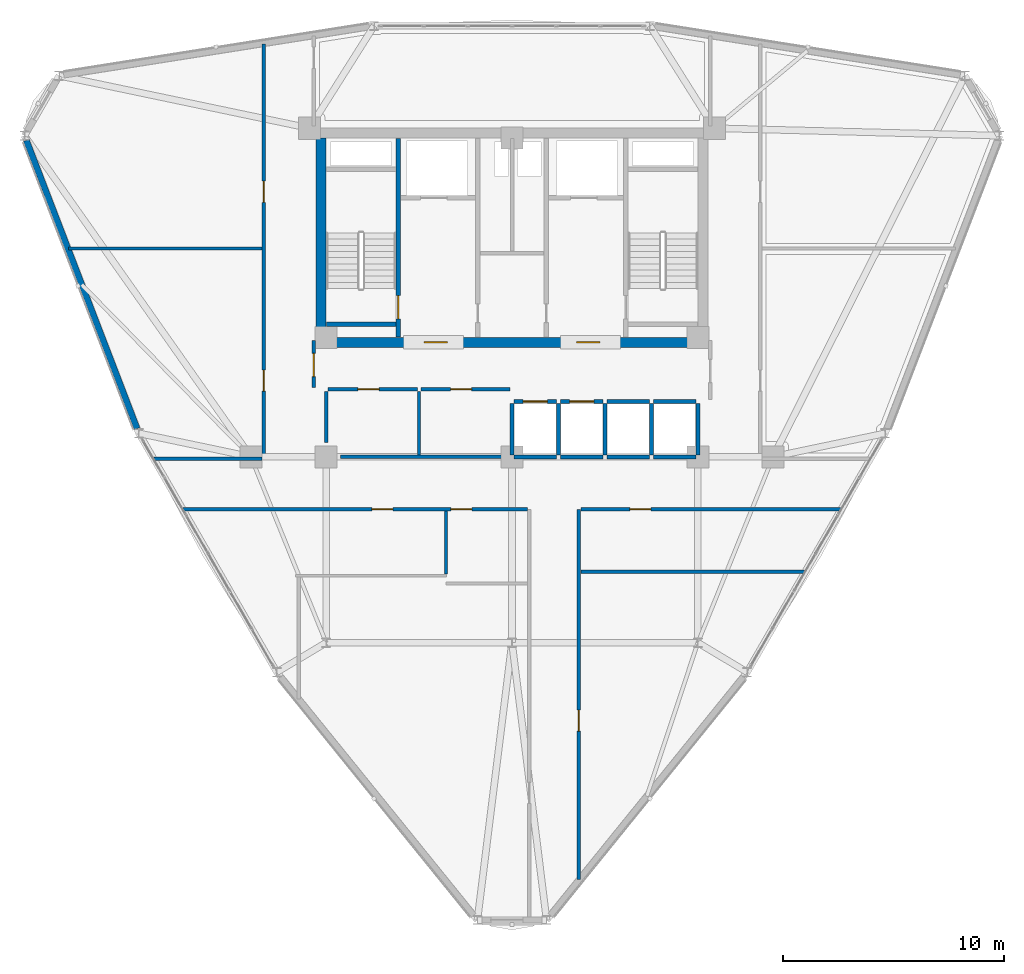
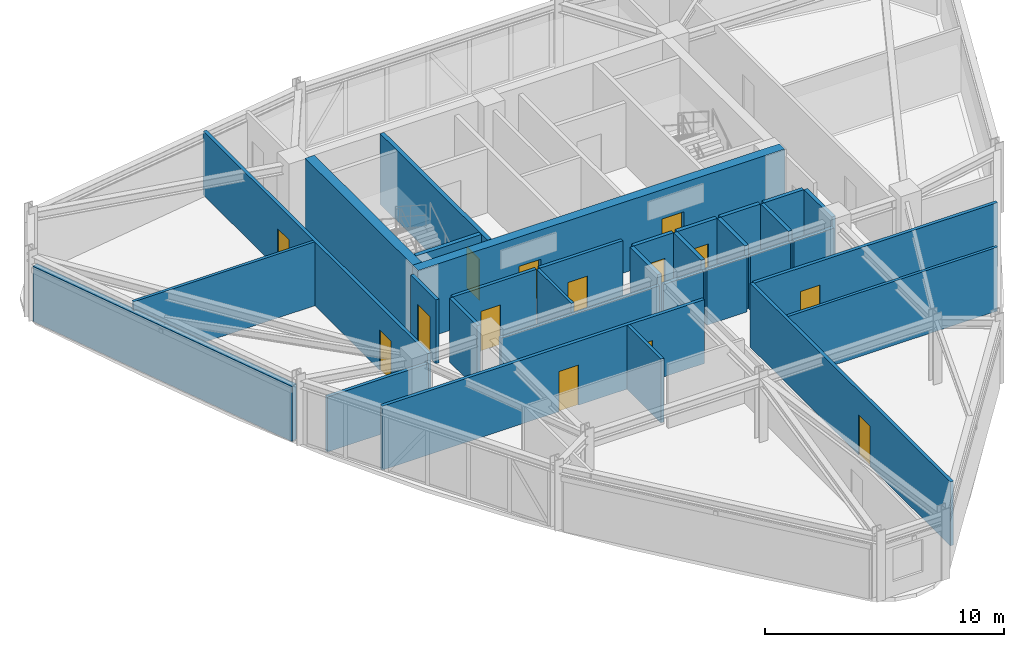
# One storey, part 10 of 14: 32 walls, 14 doors, 14 openings.
"""IFC4 building model written with IfcOpenShell, lengths in metres."""

from ifc_helpers import new_model, si_unit, derived_unit, direction, frame, frame_2d, origin, place, context, subcontext, project, spatial, rectangle, extrude, material, layer, layer_set, type_object, element, fill, save


model = new_model("IFC4")

# Units and contexts
model_context = context("Model", 3, precision=1e-05, world=origin(), true_north=direction((0.0, 1.0)))
body_context = subcontext(model_context, "Body", "Model", "MODEL_VIEW")
ifc_project = project(units=[si_unit("LENGTHUNIT", "METRE"), si_unit("AREAUNIT", "SQUARE_METRE"), si_unit("VOLUMEUNIT", "CUBIC_METRE"), si_unit("PLANEANGLEUNIT", "RADIAN"), si_unit("MASSUNIT", "GRAM", prefix="KILO"), derived_unit("THERMALTRANSMITTANCEUNIT", [(si_unit("POWERUNIT", "WATT"), 1), (si_unit("LENGTHUNIT", "METRE"), -2), (si_unit("THERMODYNAMICTEMPERATUREUNIT", "KELVIN"), -1)])], contexts=[model_context])

# Site, building, storey
site_placement = place(None, origin())
site = spatial("IfcSite", under=ifc_project, at=site_placement, CompositionType="ELEMENT")
building_placement = place(site_placement, origin())
building = spatial("IfcBuilding", under=site, at=building_placement, Name="Korsvarv Bourse and Concert Hall", CompositionType="ELEMENT")
storey_placement = place(building_placement, frame((0.0, 0.0, 197.39990234375)))
storey = spatial("IfcBuildingStorey", under=building, at=storey_placement, Name="L51", CompositionType="ELEMENT", Elevation=197.39990234375)

# Wall, opening, door
ifc_material_1 = material(Name="Concrete C50/60", Category="concrete")
ifc_layer_1 = layer(ifc_material_1, 0.3798828125)
ifc_layer_set_1 = layer_set([ifc_layer_1], Name="Concrete C50/60")
wall_type_1 = type_object("IfcWallType", Name="WL-CORE-380", PredefinedType="SHEAR", material=ifc_layer_set_1)
wall_1_placement = place(storey_placement, frame((30.860107421875, 37.81005859375, 0.0), z_axis=(0.0, 0.0, 1.0), x_axis=(0.0, 1.0, 0.0)))
wall_1 = element("IfcWall", 1, at=wall_1_placement, inside=storey, type_object=wall_type_1, Name="L51 stair shaft structural wall W-L51-ST1-E", PredefinedType="SHEAR", context=body_context, shape_type="SweptSolid", body=[
    extrude(rectangle(XDim=8.97998046875, YDim=0.199951171875, at=frame_2d((4.489990234375, 0.0))), origin(), (0.0, 0.0, 1.0), 3.60009765625),
])
opening_1_placement = place(wall_1_placement, frame((0.820068359375, 0.0, 0.0)))
opening_1 = element("IfcOpeningElement", 2, at=opening_1_placement, cuts=wall_1, Name="Opening D-01", PredefinedType="OPENING", context=body_context, shape_type="SweptSolid", body=[
    extrude(rectangle(XDim=1.050048828125, YDim=2.10009765625, at=frame_2d((0.52490234375, 1.050048828125))), frame((0.0, 0.10986328125, 0.0), z_axis=(0.0, -1.0, 0.0), x_axis=(1.0, 0.0, 0.0)), (0.0, 0.0, 1.0), 0.219970703125),
])
ifc_material_2 = material(Name="Steel S355 fire door", Category="steel")
door_type_1 = type_object("IfcDoorType", Name="DR-FD60", OperationType="NOTDEFINED", PredefinedType="DOOR", material=ifc_material_2)
door_1_placement = place(opening_1_placement, origin())
door_1 = element("IfcDoor", 3, at=door_1_placement, inside=storey, type_object=door_type_1, Name="L51 interior door DR-L51-ST1", OperationType="SINGLE_SWING_LEFT", OverallHeight=2.10009765625, OverallWidth=1.050048828125, PredefinedType="DOOR", context=body_context, shape_type="SweptSolid", body=[
    extrude(rectangle(XDim=1.050048828125, YDim=2.10009765625, at=frame_2d((0.52490234375, 1.050048828125))), frame((0.0, 0.02490234375, 0.0), z_axis=(0.0, -1.0, 0.0), x_axis=(1.0, 0.0, 0.0)), (0.0, 0.0, 1.0), 0.050048828125),
])
fill(opening_1, door_1)

# Wall
wall_2_placement = place(storey_placement, frame((27.610107421875, 38.39990234375, 0.0), z_axis=(0.0, 0.0, 1.0), x_axis=(1.0, 0.0, 0.0)))
element("IfcWall", 4, at=wall_2_placement, inside=storey, type_object=wall_type_1, Name="L51 stair shaft structural wall W-L51-ST1-S", PredefinedType="SHEAR", context=body_context, shape_type="SweptSolid", body=[
    extrude(rectangle(XDim=3.139892578125, YDim=0.199951171875, at=frame_2d((1.56982421875, 0.0))), origin(), (0.0, 0.0, 1.0), 3.60009765625),
])

# Wall, openings, doors
ifc_material_3 = material(Name="Concrete C55/67", Category="concrete")
ifc_layer_2 = layer(ifc_material_3, 0.449951171875)
ifc_layer_set_2 = layer_set([ifc_layer_2], Name="Concrete C55/67")
wall_type_2 = type_object("IfcWallType", Name="WL-CORE-450", PredefinedType="SHEAR", material=ifc_layer_set_2)
wall_3_placement = place(storey_placement, frame((27.14990234375, 37.574951171875, 0.0), z_axis=(0.0, 0.0, 1.0), x_axis=(1.0, 0.0, 0.0)))
wall_3 = element("IfcWall", 5, at=wall_3_placement, inside=storey, type_object=wall_type_2, Name="L51 South Core Shear Wall", PredefinedType="SHEAR", context=body_context, shape_type="SweptSolid", body=[
    extrude(rectangle(XDim=17.7001953125, YDim=0.449951171875, at=frame_2d((8.85009765625, 0.0))), origin(), (0.0, 0.0, 1.0), 3.60009765625),
])
opening_2_placement = place(wall_3_placement, frame((4.875, 0.0, 0.0)))
opening_2 = element("IfcOpeningElement", 6, at=opening_2_placement, cuts=wall_3, Name="Opening D-01", PredefinedType="OPENING", context=body_context, shape_type="SweptSolid", body=[
    extrude(rectangle(XDim=1.050048828125, YDim=2.10009765625, at=frame_2d((0.52490234375, 1.050048828125))), frame((0.0, 0.23486328125, 0.0), z_axis=(0.0, -1.0, 0.0), x_axis=(1.0, 0.0, 0.0)), (0.0, 0.0, 1.0), 0.469970703125),
])
opening_3_placement = place(wall_3_placement, frame((11.77490234375, 0.0, 0.0)))
opening_3 = element("IfcOpeningElement", 7, at=opening_3_placement, cuts=wall_3, Name="Opening D-01", PredefinedType="OPENING", context=body_context, shape_type="SweptSolid", body=[
    extrude(rectangle(XDim=1.050048828125, YDim=2.10009765625, at=frame_2d((0.52490234375, 1.050048828125))), frame((0.0, 0.23486328125, 0.0), z_axis=(0.0, -1.0, 0.0), x_axis=(1.0, 0.0, 0.0)), (0.0, 0.0, 1.0), 0.469970703125),
])
door_2_placement = place(opening_2_placement, frame((1.050048828125, 0.0, 0.0), z_axis=(0.0, 0.0, 1.0), x_axis=(-1.0, 0.0, 0.0)))
door_2 = element("IfcDoor", 8, at=door_2_placement, inside=storey, type_object=door_type_1, Name="L51 firefighting lobby fire door DR-L51-FFLW", OperationType="SINGLE_SWING_LEFT", OverallHeight=2.10009765625, OverallWidth=1.050048828125, PredefinedType="DOOR", context=body_context, shape_type="SweptSolid", body=[
    extrude(rectangle(XDim=1.050048828125, YDim=2.10009765625, at=frame_2d((0.52490234375, 1.050048828125))), frame((0.0, 0.02490234375, 0.0), z_axis=(0.0, -1.0, 0.0), x_axis=(1.0, 0.0, 0.0)), (0.0, 0.0, 1.0), 0.050048828125),
])
fill(opening_2, door_2)
door_3_placement = place(opening_3_placement, frame((1.050048828125, 0.0, 0.0), z_axis=(0.0, 0.0, 1.0), x_axis=(-1.0, 0.0, 0.0)))
door_3 = element("IfcDoor", 9, at=door_3_placement, inside=storey, type_object=door_type_1, Name="L51 firefighting lobby fire door DR-L51-FFLE", OperationType="SINGLE_SWING_RIGHT", OverallHeight=2.10009765625, OverallWidth=1.050048828125, PredefinedType="DOOR", context=body_context, shape_type="SweptSolid", body=[
    extrude(rectangle(XDim=1.050048828125, YDim=2.10009765625, at=frame_2d((0.52490234375, 1.050048828125))), frame((0.0, 0.02490234375, 0.0), z_axis=(0.0, -1.0, 0.0), x_axis=(1.0, 0.0, 0.0)), (0.0, 0.0, 1.0), 0.050048828125),
])
fill(opening_3, door_3)

# Walls
wall_4_placement = place(storey_placement, frame((27.375, 37.800048828125, 0.0), z_axis=(0.0, 0.0, 1.0), x_axis=(0.0, 1.0, 0.0)))
element("IfcWall", 10, at=wall_4_placement, inside=storey, type_object=wall_type_2, Name="L51 West Core Shear Wall", PredefinedType="SHEAR", context=body_context, shape_type="SweptSolid", body=[
    extrude(rectangle(XDim=9.0, YDim=0.449951171875, at=frame_2d((4.5, 0.0))), origin(), (0.0, 0.0, 1.0), 3.60009765625),
])
ifc_material_4 = material(Name="Precast concrete C45/55 with fluted terracotta pier", Category="concrete")
ifc_layer_3 = layer(ifc_material_4, 0.280029296875)
ifc_layer_set_3 = layer_set([ifc_layer_3], Name="Precast concrete C45/55 with fluted terracotta pier")
wall_type_3 = type_object("IfcWallType", Name="WL-EXT-TC2", PredefinedType="SOLIDWALL", material=ifc_layer_set_3)
wall_5_placement = place(storey_placement, frame((14.051513671875, 46.699462890625, 0.0), z_axis=(0.0, 0.0, 1.0), x_axis=(0.358703519473, -0.933451544065, 0.0)))
element("IfcWall", 11, at=wall_5_placement, inside=storey, type_object=wall_type_3, Name="L51 terracotta exterior wall EW-L51-B06", PredefinedType="SOLIDWALL", context=body_context, shape_type="SweptSolid", body=[
    extrude(rectangle(XDim=13.95263671875, YDim=0.280029296875, at=frame_2d((6.976318359375, 0.0))), origin(), (0.0, 0.0, 1.0), 2.81005859375),
])
ifc_material_5 = material(Name="Double-stud fire-rated acoustic partition", Category="gypsum")
ifc_layer_4 = layer(ifc_material_5, 0.159912109375)
ifc_layer_set_4 = layer_set([ifc_layer_4], Name="Double-stud fire-rated acoustic partition")
wall_type_4 = type_object("IfcWallType", Name="WL-INT-EI60", PredefinedType="PARTITIONING", material=ifc_layer_set_4)
wall_6_placement = place(storey_placement, frame((28.25, 32.39990234375, 0.0), z_axis=(0.0, 0.0, 1.0), x_axis=(1.0, 0.0, 0.0)))
element("IfcWall", 12, at=wall_6_placement, inside=storey, type_object=wall_type_4, Name="L51 interior partition wall W-L51-FRD-S", PredefinedType="PARTITIONING", context=body_context, shape_type="SweptSolid", body=[
    extrude(rectangle(XDim=7.64990234375, YDim=0.159912109375, at=frame_2d((3.824951171875, 0.0))), origin(), (0.0, 0.0, 1.0), 2.81005859375),
])
wall_7_placement = place(storey_placement, frame((27.60009765625, 33.050048828125, 0.0), z_axis=(0.0, 0.0, 1.0), x_axis=(0.0, 1.0, 0.0)))
element("IfcWall", 13, at=wall_7_placement, inside=storey, type_object=wall_type_4, Name="L51 interior partition wall W-L51-FRD-W", PredefinedType="PARTITIONING", context=body_context, shape_type="SweptSolid", body=[
    extrude(rectangle(XDim=2.31005859375, YDim=0.159912109375, at=frame_2d((1.155029296875, 0.0))), origin(), (0.0, 0.0, 1.0), 3.260009765625),
])

# Wall, opening, door
wall_8_placement = place(storey_placement, frame((27.68994140625, 35.449951171875, 0.0), z_axis=(0.0, 0.0, 1.0), x_axis=(1.0, 0.0, 0.0)))
wall_8 = element("IfcWall", 14, at=wall_8_placement, inside=storey, type_object=wall_type_4, Name="L51 interior partition wall W-L51-FRD-N1", PredefinedType="PARTITIONING", context=body_context, shape_type="SweptSolid", body=[
    extrude(rectangle(XDim=4.030029296875, YDim=0.159912109375, at=frame_2d((2.01513671875, 0.0))), origin(), (0.0, 0.0, 1.0), 3.260009765625),
])
opening_4_placement = place(wall_8_placement, frame((1.35009765625, 0.0, 0.0)))
opening_4 = element("IfcOpeningElement", 15, at=opening_4_placement, cuts=wall_8, Name="Opening D-03", PredefinedType="OPENING", context=body_context, shape_type="SweptSolid", body=[
    extrude(rectangle(XDim=0.949951171875, YDim=2.050048828125, at=frame_2d((0.47509765625, 1.02490234375))), frame((0.0, 0.08984375, 0.0), z_axis=(0.0, -1.0, 0.0), x_axis=(1.0, 0.0, 0.0)), (0.0, 0.0, 1.0), 0.179931640625),
])
ifc_material_6 = material(Name="Nordic oak acoustic office door", Category="wood")
door_type_2 = type_object("IfcDoorType", Name="DR-INT-1", OperationType="NOTDEFINED", PredefinedType="DOOR", material=ifc_material_6)
door_4_placement = place(opening_4_placement, origin())
door_4 = element("IfcDoor", 16, at=door_4_placement, inside=storey, type_object=door_type_2, Name="L51 interior door DR-L51-FRDN1", OperationType="SINGLE_SWING_LEFT", OverallHeight=2.050048828125, OverallWidth=0.949951171875, PredefinedType="DOOR", context=body_context, shape_type="SweptSolid", body=[
    extrude(rectangle(XDim=0.949951171875, YDim=2.050048828125, at=frame_2d((0.47509765625, 1.02490234375))), frame((0.0, 0.02490234375, 0.0), z_axis=(0.0, -1.0, 0.0), x_axis=(1.0, 0.0, 0.0)), (0.0, 0.0, 1.0), 0.050048828125),
])
fill(opening_4, door_4)

wall_9_placement = place(storey_placement, frame((31.8798828125, 35.449951171875, 0.0), z_axis=(0.0, 0.0, 1.0), x_axis=(1.0, 0.0, 0.0)))
wall_9 = element("IfcWall", 17, at=wall_9_placement, inside=storey, type_object=wall_type_4, Name="L51 interior partition wall W-L51-FRD-N2", PredefinedType="PARTITIONING", context=body_context, shape_type="SweptSolid", body=[
    extrude(rectangle(XDim=4.02001953125, YDim=0.159912109375, at=frame_2d((2.010009765625, 0.0))), origin(), (0.0, 0.0, 1.0), 3.260009765625),
])
opening_5_placement = place(wall_9_placement, frame((1.35009765625, 0.0, 0.0)))
opening_5 = element("IfcOpeningElement", 18, at=opening_5_placement, cuts=wall_9, Name="Opening D-03", PredefinedType="OPENING", context=body_context, shape_type="SweptSolid", body=[
    extrude(rectangle(XDim=0.949951171875, YDim=2.050048828125, at=frame_2d((0.47509765625, 1.02490234375))), frame((0.0, 0.08984375, 0.0), z_axis=(0.0, -1.0, 0.0), x_axis=(1.0, 0.0, 0.0)), (0.0, 0.0, 1.0), 0.179931640625),
])
door_5_placement = place(opening_5_placement, origin())
door_5 = element("IfcDoor", 19, at=door_5_placement, inside=storey, type_object=door_type_2, Name="L51 interior door DR-L51-FRDN2", OperationType="SINGLE_SWING_RIGHT", OverallHeight=2.050048828125, OverallWidth=0.949951171875, PredefinedType="DOOR", context=body_context, shape_type="SweptSolid", body=[
    extrude(rectangle(XDim=0.949951171875, YDim=2.050048828125, at=frame_2d((0.47509765625, 1.02490234375))), frame((0.0, 0.02490234375, 0.0), z_axis=(0.0, -1.0, 0.0), x_axis=(1.0, 0.0, 0.0)), (0.0, 0.0, 1.0), 0.050048828125),
])
fill(opening_5, door_5)

wall_10_placement = place(storey_placement, frame((27.0400390625, 35.5400390625, 0.0), z_axis=(0.0, 0.0, 1.0), x_axis=(0.0, 1.0, 0.0)))
wall_10 = element("IfcWall", 20, at=wall_10_placement, inside=storey, type_object=wall_type_4, Name="L51 interior partition wall W-L51-LOB-WL", PredefinedType="PARTITIONING", context=body_context, shape_type="SweptSolid", body=[
    extrude(rectangle(XDim=2.10986328125, YDim=0.159912109375, at=frame_2d((1.054931640625, 0.0))), origin(), (0.0, 0.0, 1.0), 3.260009765625),
])
opening_6_placement = place(wall_10_placement, frame((0.47998046875, 0.0, 0.0)))
opening_6 = element("IfcOpeningElement", 21, at=opening_6_placement, cuts=wall_10, Name="Opening D-01", PredefinedType="OPENING", context=body_context, shape_type="SweptSolid", body=[
    extrude(rectangle(XDim=1.050048828125, YDim=2.10009765625, at=frame_2d((0.52490234375, 1.050048828125))), frame((0.0, 0.08984375, 0.0), z_axis=(0.0, -1.0, 0.0), x_axis=(1.0, 0.0, 0.0)), (0.0, 0.0, 1.0), 0.179931640625),
])
door_6_placement = place(opening_6_placement, frame((1.050048828125, 0.0, 0.0), z_axis=(0.0, 0.0, 1.0), x_axis=(-1.0, 0.0, 0.0)))
door_6 = element("IfcDoor", 22, at=door_6_placement, inside=storey, type_object=door_type_1, Name="L51 interior door DR-L51-LOBW", OperationType="SINGLE_SWING_LEFT", OverallHeight=2.10009765625, OverallWidth=1.050048828125, PredefinedType="DOOR", context=body_context, shape_type="SweptSolid", body=[
    extrude(rectangle(XDim=1.050048828125, YDim=2.10009765625, at=frame_2d((0.52490234375, 1.050048828125))), frame((0.0, 0.02490234375, 0.0), z_axis=(0.0, -1.0, 0.0), x_axis=(1.0, 0.0, 0.0)), (0.0, 0.0, 1.0), 0.050048828125),
])
fill(opening_6, door_6)

# Wall, openings, doors
wall_11_placement = place(storey_placement, frame((24.77490234375, 32.31005859375, 0.0), z_axis=(0.0, 0.0, 1.0), x_axis=(0.0, 1.0, 0.0)))
wall_11 = element("IfcWall", 23, at=wall_11_placement, inside=storey, type_object=wall_type_4, Name="L51 interior partition wall W-L51-TCOR-02", PredefinedType="PARTITIONING", context=body_context, shape_type="SweptSolid", body=[
    extrude(rectangle(XDim=18.7529296875, YDim=0.159912109375, at=frame_2d((9.37646484375, 0.0))), origin(), (0.0, 0.0, 1.0), 3.260009765625),
])
opening_7_placement = place(wall_11_placement, frame((3.060302734375, 0.0, 0.0)))
opening_7 = element("IfcOpeningElement", 24, at=opening_7_placement, cuts=wall_11, Name="Opening D-02", PredefinedType="OPENING", context=body_context, shape_type="SweptSolid", body=[
    extrude(rectangle(XDim=0.949951171875, YDim=2.050048828125, at=frame_2d((0.47509765625, 1.02490234375))), frame((0.0, 0.08984375, 0.0), z_axis=(0.0, -1.0, 0.0), x_axis=(1.0, 0.0, 0.0)), (0.0, 0.0, 1.0), 0.179931640625),
])
opening_8_placement = place(wall_11_placement, frame((11.593017578125, 0.0, 0.0)))
opening_8 = element("IfcOpeningElement", 25, at=opening_8_placement, cuts=wall_11, Name="Opening D-02", PredefinedType="OPENING", context=body_context, shape_type="SweptSolid", body=[
    extrude(rectangle(XDim=0.949951171875, YDim=2.050048828125, at=frame_2d((0.47509765625, 1.02490234375))), frame((0.0, 0.08984375, 0.0), z_axis=(0.0, -1.0, 0.0), x_axis=(1.0, 0.0, 0.0)), (0.0, 0.0, 1.0), 0.179931640625),
])
ifc_material_7 = material(Name="Timber and steel acoustic fire door", Category="wood")
door_type_3 = type_object("IfcDoorType", Name="DR-FD30", OperationType="NOTDEFINED", PredefinedType="DOOR", material=ifc_material_7)
door_7_placement = place(opening_7_placement, origin())
door_7 = element("IfcDoor", 26, at=door_7_placement, inside=storey, type_object=door_type_3, Name="L51 interior door DR-L51-TCOR-FN68", OperationType="SINGLE_SWING_LEFT", OverallHeight=2.050048828125, OverallWidth=0.949951171875, PredefinedType="DOOR", context=body_context, shape_type="SweptSolid", body=[
    extrude(rectangle(XDim=0.949951171875, YDim=2.050048828125, at=frame_2d((0.47509765625, 1.02490234375))), frame((0.0, 0.02490234375, 0.0), z_axis=(0.0, -1.0, 0.0), x_axis=(1.0, 0.0, 0.0)), (0.0, 0.0, 1.0), 0.050048828125),
])
fill(opening_7, door_7)
door_8_placement = place(opening_8_placement, origin())
door_8 = element("IfcDoor", 27, at=door_8_placement, inside=storey, type_object=door_type_3, Name="L51 interior door DR-L51-TCOR-FN79", OperationType="SINGLE_SWING_RIGHT", OverallHeight=2.050048828125, OverallWidth=0.949951171875, PredefinedType="DOOR", context=body_context, shape_type="SweptSolid", body=[
    extrude(rectangle(XDim=0.949951171875, YDim=2.050048828125, at=frame_2d((0.47509765625, 1.02490234375))), frame((0.0, 0.02490234375, 0.0), z_axis=(0.0, -1.0, 0.0), x_axis=(1.0, 0.0, 0.0)), (0.0, 0.0, 1.0), 0.050048828125),
])
fill(opening_8, door_8)

# Wall, opening, door
wall_12_placement = place(storey_placement, frame((39.02490234375, 13.289794921875, 0.0), z_axis=(0.0, 0.0, 1.0), x_axis=(0.0, 1.0, 0.0)))
wall_12 = element("IfcWall", 28, at=wall_12_placement, inside=storey, type_object=wall_type_4, Name="L51 interior partition wall W-L51-TCOR-04", PredefinedType="PARTITIONING", context=body_context, shape_type="SweptSolid", body=[
    extrude(rectangle(XDim=16.740234375, YDim=0.159912109375, at=frame_2d((8.3701171875, 0.0))), origin(), (0.0, 0.0, 1.0), 3.260009765625),
])
opening_9_placement = place(wall_12_placement, frame((6.71630859375, 0.0, 0.0)))
opening_9 = element("IfcOpeningElement", 29, at=opening_9_placement, cuts=wall_12, Name="Opening D-02", PredefinedType="OPENING", context=body_context, shape_type="SweptSolid", body=[
    extrude(rectangle(XDim=0.949951171875, YDim=2.050048828125, at=frame_2d((0.47509765625, 1.02490234375))), frame((0.0, 0.08984375, 0.0), z_axis=(0.0, -1.0, 0.0), x_axis=(1.0, 0.0, 0.0)), (0.0, 0.0, 1.0), 0.179931640625),
])
door_9_placement = place(opening_9_placement, origin())
door_9 = element("IfcDoor", 30, at=door_9_placement, inside=storey, type_object=door_type_3, Name="L51 interior door DR-L51-TCOR-FN43", OperationType="SINGLE_SWING_RIGHT", OverallHeight=2.050048828125, OverallWidth=0.949951171875, PredefinedType="DOOR", context=body_context, shape_type="SweptSolid", body=[
    extrude(rectangle(XDim=0.949951171875, YDim=2.050048828125, at=frame_2d((0.47509765625, 1.02490234375))), frame((0.0, 0.02490234375, 0.0), z_axis=(0.0, -1.0, 0.0), x_axis=(1.0, 0.0, 0.0)), (0.0, 0.0, 1.0), 0.050048828125),
])
fill(opening_9, door_9)

# Wall, openings, doors
wall_13_placement = place(storey_placement, frame((21.142578125, 30.02490234375, 0.0), z_axis=(0.0, 0.0, 1.0), x_axis=(1.0, 0.0, 0.0)))
wall_13 = element("IfcWall", 31, at=wall_13_placement, inside=storey, type_object=wall_type_4, Name="L51 interior partition wall W-L51-TCOR-05", PredefinedType="PARTITIONING", context=body_context, shape_type="SweptSolid", body=[
    extrude(rectangle(XDim=15.550537109375, YDim=0.159912109375, at=frame_2d((7.775390625, 0.0))), origin(), (0.0, 0.0, 1.0), 3.260009765625),
])
opening_10_placement = place(wall_13_placement, frame((12.097412109375, 0.0, 0.0)))
opening_10 = element("IfcOpeningElement", 32, at=opening_10_placement, cuts=wall_13, Name="Opening D-02", PredefinedType="OPENING", context=body_context, shape_type="SweptSolid", body=[
    extrude(rectangle(XDim=0.949951171875, YDim=2.050048828125, at=frame_2d((0.47509765625, 1.02490234375))), frame((0.0, 0.08984375, 0.0), z_axis=(0.0, -1.0, 0.0), x_axis=(1.0, 0.0, 0.0)), (0.0, 0.0, 1.0), 0.179931640625),
])
opening_11_placement = place(wall_13_placement, frame((8.521484375, 0.0, 0.0)))
opening_11 = element("IfcOpeningElement", 33, at=opening_11_placement, cuts=wall_13, Name="Opening D-02", PredefinedType="OPENING", context=body_context, shape_type="SweptSolid", body=[
    extrude(rectangle(XDim=0.949951171875, YDim=2.050048828125, at=frame_2d((0.47509765625, 1.02490234375))), frame((0.0, 0.08984375, 0.0), z_axis=(0.0, -1.0, 0.0), x_axis=(1.0, 0.0, 0.0)), (0.0, 0.0, 1.0), 0.179931640625),
])
door_10_placement = place(opening_10_placement, origin())
door_10 = element("IfcDoor", 34, at=door_10_placement, inside=storey, type_object=door_type_3, Name="L51 interior door DR-L51-TCOR-RWC", OperationType="SINGLE_SWING_LEFT", OverallHeight=2.050048828125, OverallWidth=0.949951171875, PredefinedType="DOOR", context=body_context, shape_type="SweptSolid", body=[
    extrude(rectangle(XDim=0.949951171875, YDim=2.050048828125, at=frame_2d((0.47509765625, 1.02490234375))), frame((0.0, 0.02490234375, 0.0), z_axis=(0.0, -1.0, 0.0), x_axis=(1.0, 0.0, 0.0)), (0.0, 0.0, 1.0), 0.050048828125),
])
fill(opening_10, door_10)
door_11_placement = place(opening_11_placement, origin())
door_11 = element("IfcDoor", 35, at=door_11_placement, inside=storey, type_object=door_type_3, Name="L51 interior door DR-L51-TCOR-FN16", OperationType="SINGLE_SWING_RIGHT", OverallHeight=2.050048828125, OverallWidth=0.949951171875, PredefinedType="DOOR", context=body_context, shape_type="SweptSolid", body=[
    extrude(rectangle(XDim=0.949951171875, YDim=2.050048828125, at=frame_2d((0.47509765625, 1.02490234375))), frame((0.0, 0.02490234375, 0.0), z_axis=(0.0, -1.0, 0.0), x_axis=(1.0, 0.0, 0.0)), (0.0, 0.0, 1.0), 0.050048828125),
])
fill(opening_11, door_11)

# Wall, opening, door
wall_14_placement = place(storey_placement, frame((39.10693359375, 30.02490234375, 0.0), z_axis=(0.0, 0.0, 1.0), x_axis=(1.0, 0.0, 0.0)))
wall_14 = element("IfcWall", 36, at=wall_14_placement, inside=storey, type_object=wall_type_4, Name="L51 interior partition wall W-L51-TCOR-06", PredefinedType="PARTITIONING", context=body_context, shape_type="SweptSolid", body=[
    extrude(rectangle(XDim=11.75048828125, YDim=0.159912109375, at=frame_2d((5.875244140625, 0.0))), origin(), (0.0, 0.0, 1.0), 3.260009765625),
])
opening_12_placement = place(wall_14_placement, frame((2.2197265625, 0.0, 0.0)))
opening_12 = element("IfcOpeningElement", 37, at=opening_12_placement, cuts=wall_14, Name="Opening D-02", PredefinedType="OPENING", context=body_context, shape_type="SweptSolid", body=[
    extrude(rectangle(XDim=0.949951171875, YDim=2.050048828125, at=frame_2d((0.47509765625, 1.02490234375))), frame((0.0, 0.08984375, 0.0), z_axis=(0.0, -1.0, 0.0), x_axis=(1.0, 0.0, 0.0)), (0.0, 0.0, 1.0), 0.179931640625),
])
door_12_placement = place(opening_12_placement, origin())
door_12 = element("IfcDoor", 38, at=door_12_placement, inside=storey, type_object=door_type_3, Name="L51 interior door DR-L51-TCOR-FN24", OperationType="SINGLE_SWING_LEFT", OverallHeight=2.050048828125, OverallWidth=0.949951171875, PredefinedType="DOOR", context=body_context, shape_type="SweptSolid", body=[
    extrude(rectangle(XDim=0.949951171875, YDim=2.050048828125, at=frame_2d((0.47509765625, 1.02490234375))), frame((0.0, 0.02490234375, 0.0), z_axis=(0.0, -1.0, 0.0), x_axis=(1.0, 0.0, 0.0)), (0.0, 0.0, 1.0), 0.050048828125),
])
fill(opening_12, door_12)

# Wall
wall_15_placement = place(storey_placement, frame((19.8203125, 32.31494140625, 0.0), z_axis=(0.0, 0.0, 1.0), x_axis=(1.0, 0.0, 0.0)))
element("IfcWall", 39, at=wall_15_placement, inside=storey, type_object=wall_type_4, Name="L51 interior partition wall W-L51-TCOR-08", PredefinedType="PARTITIONING", context=body_context, shape_type="SweptSolid", body=[
    extrude(rectangle(XDim=4.872802734375, YDim=0.159912109375, at=frame_2d((2.4365234375, 0.0))), origin(), (0.0, 0.0, 1.0), 2.81005859375),
])

# Wall, opening, door
ifc_material_8 = material(Name="Gypsum-clad autoclaved concrete shaft wall C30/37", Category="concrete")
ifc_layer_5 = layer(ifc_material_8, 0.179931640625)
ifc_layer_set_5 = layer_set([ifc_layer_5], Name="Gypsum-clad autoclaved concrete shaft wall C30/37")
wall_type_5 = type_object("IfcWallType", Name="WL-INT-EI90", PredefinedType="PARTITIONING", material=ifc_layer_set_5)
wall_16_placement = place(storey_placement, frame((36.090087890625, 34.89990234375, 0.0), z_axis=(0.0, 0.0, 1.0), x_axis=(1.0, 0.0, 0.0)))
wall_16 = element("IfcWall", 40, at=wall_16_placement, inside=storey, type_object=wall_type_5, Name="L51 interior partition wall W-L51-SHFN-PH1", PredefinedType="PARTITIONING", context=body_context, shape_type="SweptSolid", body=[
    extrude(rectangle(XDim=1.919921875, YDim=0.179931640625, at=frame_2d((0.9599609375, 0.0))), origin(), (0.0, 0.0, 1.0), 3.260009765625),
])
opening_13_placement = place(wall_16_placement, frame((0.409912109375, 0.0, 0.0)))
opening_13 = element("IfcOpeningElement", 41, at=opening_13_placement, cuts=wall_16, Name="Opening LD-2", PredefinedType="OPENING", context=body_context, shape_type="SweptSolid", body=[
    extrude(rectangle(XDim=1.10009765625, YDim=2.10009765625, at=frame_2d((0.550048828125, 1.050048828125))), frame((0.0, 0.10009765625, 0.0), z_axis=(0.0, -1.0, 0.0), x_axis=(1.0, 0.0, 0.0)), (0.0, 0.0, 1.0), 0.199951171875),
])
ifc_material_9 = material(Name="Brushed stainless Steel S355 lift landing door", Category="steel")
door_type_4 = type_object("IfcDoorType", Name="DR-LIFT-P", OperationType="DOUBLE_DOOR_SLIDING", PredefinedType="DOOR", material=ifc_material_9)
door_13_placement = place(opening_13_placement, origin())
door_13 = element("IfcDoor", 42, at=door_13_placement, inside=storey, type_object=door_type_4, Name="L51 lift sliding landing door LD-L51-PH1", OperationType="DOUBLE_DOOR_SLIDING", OverallHeight=2.10009765625, OverallWidth=1.10009765625, PredefinedType="DOOR", context=body_context, shape_type="SweptSolid", body=[
    extrude(rectangle(XDim=1.10009765625, YDim=2.10009765625, at=frame_2d((0.550048828125, 1.050048828125))), frame((0.0, 0.02490234375, 0.0), z_axis=(0.0, -1.0, 0.0), x_axis=(1.0, 0.0, 0.0)), (0.0, 0.0, 1.0), 0.050048828125),
])
fill(opening_13, door_13)

# Walls
wall_17_placement = place(storey_placement, frame((36.090087890625, 32.39990234375, 0.0), z_axis=(0.0, 0.0, 1.0), x_axis=(1.0, 0.0, 0.0)))
element("IfcWall", 43, at=wall_17_placement, inside=storey, type_object=wall_type_5, Name="L51 interior partition wall W-L51-SHFS-PH1", PredefinedType="PARTITIONING", context=body_context, shape_type="SweptSolid", body=[
    extrude(rectangle(XDim=1.919921875, YDim=0.179931640625, at=frame_2d((0.9599609375, 0.0))), origin(), (0.0, 0.0, 1.0), 2.81005859375),
])
wall_18_placement = place(storey_placement, frame((36.0, 32.489990234375, 0.0), z_axis=(0.0, 0.0, 1.0), x_axis=(0.0, 1.0, 0.0)))
element("IfcWall", 44, at=wall_18_placement, inside=storey, type_object=wall_type_5, Name="L51 interior partition wall W-L51-SHFW-PH1", PredefinedType="PARTITIONING", context=body_context, shape_type="SweptSolid", body=[
    extrude(rectangle(XDim=2.320068359375, YDim=0.179931640625, at=frame_2d((1.16015625, 0.0))), origin(), (0.0, 0.0, 1.0), 3.260009765625),
])

# Wall, opening, door
wall_19_placement = place(storey_placement, frame((38.18994140625, 34.89990234375, 0.0), z_axis=(0.0, 0.0, 1.0), x_axis=(1.0, 0.0, 0.0)))
wall_19 = element("IfcWall", 45, at=wall_19_placement, inside=storey, type_object=wall_type_5, Name="L51 interior partition wall W-L51-SHFN-PH2", PredefinedType="PARTITIONING", context=body_context, shape_type="SweptSolid", body=[
    extrude(rectangle(XDim=1.920166015625, YDim=0.179931640625, at=frame_2d((0.9599609375, 0.0))), origin(), (0.0, 0.0, 1.0), 3.260009765625),
])
opening_14_placement = place(wall_19_placement, frame((0.409912109375, 0.0, 0.0)))
opening_14 = element("IfcOpeningElement", 46, at=opening_14_placement, cuts=wall_19, Name="Opening LD-2", PredefinedType="OPENING", context=body_context, shape_type="SweptSolid", body=[
    extrude(rectangle(XDim=1.10009765625, YDim=2.10009765625, at=frame_2d((0.550048828125, 1.050048828125))), frame((0.0, 0.10009765625, 0.0), z_axis=(0.0, -1.0, 0.0), x_axis=(1.0, 0.0, 0.0)), (0.0, 0.0, 1.0), 0.199951171875),
])
door_14_placement = place(opening_14_placement, origin())
door_14 = element("IfcDoor", 47, at=door_14_placement, inside=storey, type_object=door_type_4, Name="L51 lift sliding landing door LD-L51-PH2", OperationType="DOUBLE_DOOR_SLIDING", OverallHeight=2.10009765625, OverallWidth=1.10009765625, PredefinedType="DOOR", context=body_context, shape_type="SweptSolid", body=[
    extrude(rectangle(XDim=1.10009765625, YDim=2.10009765625, at=frame_2d((0.550048828125, 1.050048828125))), frame((0.0, 0.02490234375, 0.0), z_axis=(0.0, -1.0, 0.0), x_axis=(1.0, 0.0, 0.0)), (0.0, 0.0, 1.0), 0.050048828125),
])
fill(opening_14, door_14)

# Walls
wall_20_placement = place(storey_placement, frame((38.18994140625, 32.39990234375, 0.0), z_axis=(0.0, 0.0, 1.0), x_axis=(1.0, 0.0, 0.0)))
element("IfcWall", 48, at=wall_20_placement, inside=storey, type_object=wall_type_5, Name="L51 interior partition wall W-L51-SHFS-PH2", PredefinedType="PARTITIONING", context=body_context, shape_type="SweptSolid", body=[
    extrude(rectangle(XDim=1.920166015625, YDim=0.179931640625, at=frame_2d((0.9599609375, 0.0))), origin(), (0.0, 0.0, 1.0), 2.81005859375),
])
wall_21_placement = place(storey_placement, frame((38.10009765625, 32.489990234375, 0.0), z_axis=(0.0, 0.0, 1.0), x_axis=(0.0, 1.0, 0.0)))
element("IfcWall", 49, at=wall_21_placement, inside=storey, type_object=wall_type_5, Name="L51 interior partition wall W-L51-SHFW-PH2", PredefinedType="PARTITIONING", context=body_context, shape_type="SweptSolid", body=[
    extrude(rectangle(XDim=2.320068359375, YDim=0.179931640625, at=frame_2d((1.16015625, 0.0))), origin(), (0.0, 0.0, 1.0), 3.260009765625),
])
wall_22_placement = place(storey_placement, frame((40.2900390625, 34.89990234375, 0.0), z_axis=(0.0, 0.0, 1.0), x_axis=(1.0, 0.0, 0.0)))
element("IfcWall", 50, at=wall_22_placement, inside=storey, type_object=wall_type_5, Name="L51 interior partition wall W-L51-SHFN-PO1", PredefinedType="PARTITIONING", context=body_context, shape_type="SweptSolid", body=[
    extrude(rectangle(XDim=1.919921875, YDim=0.179931640625, at=frame_2d((0.9599609375, 0.0))), origin(), (0.0, 0.0, 1.0), 3.260009765625),
])
wall_23_placement = place(storey_placement, frame((40.2900390625, 32.39990234375, 0.0), z_axis=(0.0, 0.0, 1.0), x_axis=(1.0, 0.0, 0.0)))
element("IfcWall", 51, at=wall_23_placement, inside=storey, type_object=wall_type_5, Name="L51 interior partition wall W-L51-SHFS-PO1", PredefinedType="PARTITIONING", context=body_context, shape_type="SweptSolid", body=[
    extrude(rectangle(XDim=1.919921875, YDim=0.179931640625, at=frame_2d((0.9599609375, 0.0))), origin(), (0.0, 0.0, 1.0), 2.81005859375),
])
wall_24_placement = place(storey_placement, frame((40.199951171875, 32.489990234375, 0.0), z_axis=(0.0, 0.0, 1.0), x_axis=(0.0, 1.0, 0.0)))
element("IfcWall", 52, at=wall_24_placement, inside=storey, type_object=wall_type_5, Name="L51 interior partition wall W-L51-SHFW-PO1", PredefinedType="PARTITIONING", context=body_context, shape_type="SweptSolid", body=[
    extrude(rectangle(XDim=2.320068359375, YDim=0.179931640625, at=frame_2d((1.16015625, 0.0))), origin(), (0.0, 0.0, 1.0), 3.260009765625),
])
wall_25_placement = place(storey_placement, frame((42.389892578125, 34.89990234375, 0.0), z_axis=(0.0, 0.0, 1.0), x_axis=(1.0, 0.0, 0.0)))
element("IfcWall", 53, at=wall_25_placement, inside=storey, type_object=wall_type_5, Name="L51 interior partition wall W-L51-SHFN-PO2", PredefinedType="PARTITIONING", context=body_context, shape_type="SweptSolid", body=[
    extrude(rectangle(XDim=1.920166015625, YDim=0.179931640625, at=frame_2d((0.9599609375, 0.0))), origin(), (0.0, 0.0, 1.0), 3.260009765625),
])
wall_26_placement = place(storey_placement, frame((42.389892578125, 32.39990234375, 0.0), z_axis=(0.0, 0.0, 1.0), x_axis=(1.0, 0.0, 0.0)))
element("IfcWall", 54, at=wall_26_placement, inside=storey, type_object=wall_type_5, Name="L51 interior partition wall W-L51-SHFS-PO2", PredefinedType="PARTITIONING", context=body_context, shape_type="SweptSolid", body=[
    extrude(rectangle(XDim=1.920166015625, YDim=0.179931640625, at=frame_2d((0.9599609375, 0.0))), origin(), (0.0, 0.0, 1.0), 2.81005859375),
])
for number, where, z_axis, x_axis, name in (
    (55, (42.300048828125, 32.489990234375, 0.0), (0.0, 0.0, 1.0), (0.0, 1.0, 0.0), "L51 interior partition wall W-L51-SHFW-PO2"),
    (56, (44.39990234375, 32.489990234375, 0.0), (0.0, 0.0, 1.0), (0.0, 1.0, 0.0), "L51 interior partition wall W-L51-SHFE-END"),
):
    element("IfcWall", number, at=place(storey_placement, frame(where, z_axis=z_axis, x_axis=x_axis)), inside=storey, type_object=wall_type_5, Name=name, PredefinedType="PARTITIONING", context=body_context, shape_type="SweptSolid", body=[
        extrude(rectangle(XDim=2.320068359375, YDim=0.179931640625, at=frame_2d((1.16015625, 0.0))), origin(), (0.0, 0.0, 1.0), 3.260009765625),
    ])
ifc_material_10 = material(Name="Insulated steel-stud office acoustic partition", Category="gypsum")
ifc_layer_6 = layer(ifc_material_10, 0.139892578125)
ifc_layer_set_6 = layer_set([ifc_layer_6], Name="Insulated steel-stud office acoustic partition")
wall_type_6 = type_object("IfcWallType", Name="WL-INT-P1", PredefinedType="PARTITIONING", material=ifc_layer_set_6)
wall_27_placement = place(storey_placement, frame((31.800048828125, 32.489990234375, 0.0), z_axis=(0.0, 0.0, 1.0), x_axis=(0.0, 1.0, 0.0)))
element("IfcWall", 57, at=wall_27_placement, inside=storey, type_object=wall_type_6, Name="L51 interior partition wall W-L51-FRD-V", PredefinedType="PARTITIONING", context=body_context, shape_type="SweptSolid", body=[
    extrude(rectangle(XDim=2.8701171875, YDim=0.139892578125, at=frame_2d((1.43505859375, 0.0))), origin(), (0.0, 0.0, 1.0), 3.260009765625),
])
wall_28_placement = place(storey_placement, frame((39.10693359375, 27.205078125, 0.0), z_axis=(0.0, 0.0, 1.0), x_axis=(1.0, 0.0, 0.0)))
element("IfcWall", 58, at=wall_28_placement, inside=storey, type_object=wall_type_6, Name="L51 interior partition wall W-L51-TCOR-11", PredefinedType="PARTITIONING", context=body_context, shape_type="SweptSolid", body=[
    extrude(rectangle(XDim=10.122314453125, YDim=0.139892578125, at=frame_2d((5.06103515625, 0.0))), origin(), (0.0, 0.0, 1.0), 3.260009765625),
])
wall_29_placement = place(storey_placement, frame((15.952392578125, 41.804931640625, 0.0), z_axis=(0.0, 0.0, 1.0), x_axis=(1.0, 0.0, 0.0)))
element("IfcWall", 59, at=wall_29_placement, inside=storey, type_object=wall_type_6, Name="L51 interior partition wall W-L51-TCOR-12", PredefinedType="PARTITIONING", context=body_context, shape_type="SweptSolid", body=[
    extrude(rectangle(XDim=8.74072265625, YDim=0.139892578125, at=frame_2d((4.370361328125, 0.0))), origin(), (0.0, 0.0, 1.0), 3.260009765625),
])
wall_30_placement = place(storey_placement, frame((33.02490234375, 27.10693359375, 0.0), z_axis=(0.0, 0.0, 1.0), x_axis=(0.0, 1.0, 0.0)))
element("IfcWall", 60, at=wall_30_placement, inside=storey, type_object=wall_type_6, Name="L51 interior partition wall W-L51-TCOR-17", PredefinedType="PARTITIONING", context=body_context, shape_type="SweptSolid", body=[
    extrude(rectangle(XDim=2.836181640625, YDim=0.139892578125, at=frame_2d((1.41796875, 0.0))), origin(), (0.0, 0.0, 1.0), 3.260009765625),
])

save(model, "model.ifc")
